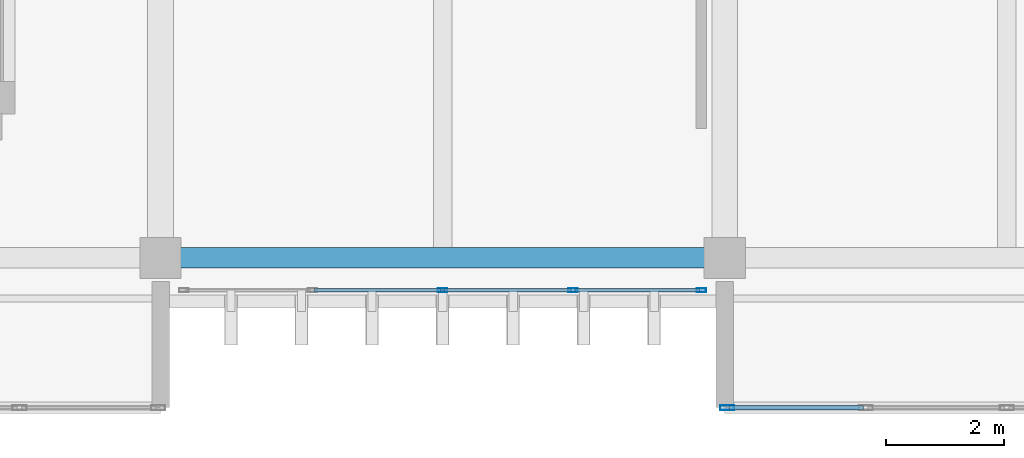
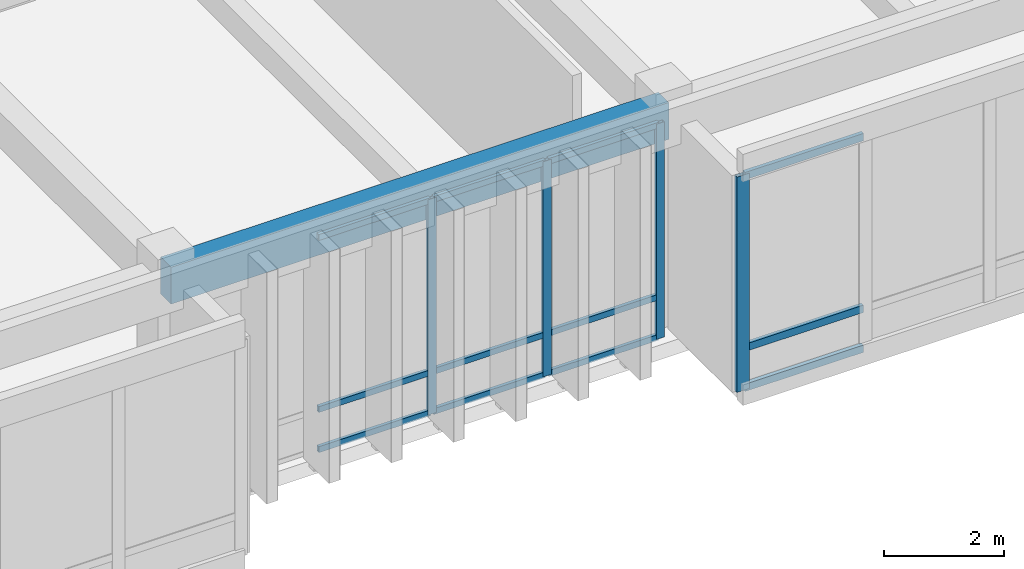
# One storey, part 52 of 133: 16 members, 1 beam, 2 elements without a shape of their own.
"""IFC4 building model written with IfcOpenShell, lengths in metres."""

import ifcopenshell
import ifcopenshell.guid

model = None  # the IFC model being written
_history = None  # IfcOwnerHistory: only IFC2X3 demands one
_inside = {}  # id of a spatial element -> (the spatial element, [elements in it])
_under = {}  # id of a project, library or spatial element -> (it, [spatial elements below it])
_declared = {}  # id of a project -> (the project, [libraries it declares])
_typed = {}  # id of a type object -> (the type object, [elements of that type])
_made_of = {}  # id of a material, layer set ... -> (it, [elements and type objects made of it])


def new_model(schema):
    """Start an empty IFC model of exactly this schema.

    Asked for "IFC4X3", IfcOpenShell would pick the latest addendum, in which some entities
    have other attributes; the version numbers below select the first issue.
    IFC2X3 requires an IfcOwnerHistory on every rooted entity: one is made here for all.
    """
    global model, _history
    if schema == "IFC4X3":
        model = ifcopenshell.file(schema_version=(4, 3, 0, 0))
    else:
        model = ifcopenshell.file(schema=schema)
    _inside.clear()
    _under.clear()
    _declared.clear()
    _typed.clear()
    _made_of.clear()
    _history = None
    if model.schema == "IFC2X3":
        org = make("IfcOrganization", Name="unknown")
        user = make(
            "IfcPersonAndOrganization",
            ThePerson=make("IfcPerson", FamilyName="unknown"),
            TheOrganization=org,
        )
        app = make(
            "IfcApplication",
            ApplicationDeveloper=org,
            Version="unknown",
            ApplicationFullName="unknown",
            ApplicationIdentifier="unknown",
        )
        _history = make(
            "IfcOwnerHistory",
            OwningUser=user,
            OwningApplication=app,
            ChangeAction="ADDED",
            CreationDate=0,
        )
    return model


def make(cls, **values):
    """One entity of the class cls with the attributes given. An attribute that is None is left unset."""
    return model.create_entity(
        cls, **{name: value for name, value in values.items() if value is not None}
    )


def rooted(cls, **values):
    """An entity with a GlobalId (a new one), such as an element, a storey or a relation."""
    return make(cls, GlobalId=ifcopenshell.guid.new(), OwnerHistory=_history, **values)


def si_unit(unit_type, name, prefix=None):
    """IfcSIUnit, for example si_unit("LENGTHUNIT", "METRE", prefix="MILLI")."""
    return make("IfcSIUnit", UnitType=unit_type, Prefix=prefix, Name=name)


def assignment(units):
    """IfcUnitAssignment: the units of a project."""
    return None if units is None else make("IfcUnitAssignment", Units=units)


def point(xyz):
    """IfcCartesianPoint."""
    return None if xyz is None else make("IfcCartesianPoint", Coordinates=xyz)


def direction(xyz):
    """IfcDirection."""
    return None if xyz is None else make("IfcDirection", DirectionRatios=xyz)


def frame(location, z_axis=None, x_axis=None):
    """IfcAxis2Placement3D, a coordinate frame: its origin and axes. An axis left out is left unset."""
    return make(
        "IfcAxis2Placement3D",
        Location=point(location),
        Axis=direction(z_axis),
        RefDirection=direction(x_axis),
    )


def frame_2d(location, x_axis=None):
    """IfcAxis2Placement2D, a coordinate frame in the plane: its origin and x axis."""
    return make(
        "IfcAxis2Placement2D", Location=point(location), RefDirection=direction(x_axis)
    )


def origin():
    """The frame at (0, 0, 0) with its axes left unset."""
    return frame((0.0, 0.0, 0.0))


def origin_2d():
    """The frame at (0, 0) in the plane with its x axis left unset."""
    return frame_2d((0.0, 0.0))


def place(relative_to, where):
    """IfcLocalPlacement: puts the frame where relative to a parent placement (None: the world)."""
    return make(
        "IfcLocalPlacement", PlacementRelTo=relative_to, RelativePlacement=where
    )


def context(
    kind, dimensions, precision=None, world=None, true_north=None, identifier=None
):
    """IfcGeometricRepresentationContext, for example the 3D "Model" context."""
    return make(
        "IfcGeometricRepresentationContext",
        ContextIdentifier=identifier,
        ContextType=kind,
        CoordinateSpaceDimension=dimensions,
        Precision=precision,
        WorldCoordinateSystem=world,
        TrueNorth=true_north,
    )


def subcontext(parent, identifier, kind, view, scale=None):
    """IfcGeometricRepresentationSubContext, for example "Body" below "Model"."""
    return make(
        "IfcGeometricRepresentationSubContext",
        ContextIdentifier=identifier,
        ContextType=kind,
        ParentContext=parent,
        TargetScale=scale,
        TargetView=view,
    )


def project(units=None, contexts=None):
    """IfcProject with its units and contexts."""
    return rooted(
        "IfcProject",
        Name="project",
        RepresentationContexts=contexts,
        UnitsInContext=assignment(units),
    )


def spatial(cls, under=None, at=None, **own):
    """A site, building, storey or space (cls), placed at a placement, below another one or the project."""
    s = rooted(cls, ObjectPlacement=at, **own)
    if under is not None:
        _under.setdefault(under.id(), (under, []))[1].append(s)
    return s


def profile(cls, at=None, kind="AREA", **sizes):
    """A parametric profile (cls). Its sizes go by their IFC names, for example OverallWidth=200.0."""
    return make(cls, ProfileType=kind, Position=at, **sizes)


def rectangle(**sizes):
    """IfcRectangleProfileDef."""
    return profile("IfcRectangleProfileDef", **sizes)


def hollow_rectangle(**sizes):
    """IfcRectangleHollowProfileDef."""
    return profile("IfcRectangleHollowProfileDef", **sizes)


def extrude(swept, where, along, depth):
    """IfcExtrudedAreaSolid: the profile swept, set in the frame where, extruded along a direction by depth."""
    return make(
        "IfcExtrudedAreaSolid",
        SweptArea=swept,
        Position=where,
        ExtrudedDirection=direction(along),
        Depth=depth,
    )


def shape(context_of_items, identifier, shape_type, items):
    """IfcShapeRepresentation: the items that make up one representation, for example the "Body"."""
    return make(
        "IfcShapeRepresentation",
        ContextOfItems=context_of_items,
        RepresentationIdentifier=identifier,
        RepresentationType=shape_type,
        Items=items,
    )


def material(Name=None, Category=None):
    """IfcMaterial."""
    return make("IfcMaterial", Name=Name, Category=Category)


def layer(
    of_material, thickness, ventilated=None, Name=None, Category=None, Priority=None
):
    """IfcMaterialLayer: one layer of a wall or slab, of a material (None: an air gap)."""
    return make(
        "IfcMaterialLayer",
        Material=of_material,
        LayerThickness=thickness,
        IsVentilated=ventilated,
        Name=Name,
        Category=Category,
        Priority=Priority,
    )


def layer_set(layers, Name=None):
    """IfcMaterialLayerSet."""
    return make("IfcMaterialLayerSet", MaterialLayers=layers, LayerSetName=Name)


def material_profile(
    of_material, cross_section, Name=None, Category=None, Priority=None
):
    """IfcMaterialProfile: a cross section and its material."""
    return make(
        "IfcMaterialProfile",
        Name=Name,
        Material=of_material,
        Profile=cross_section,
        Priority=Priority,
        Category=Category,
    )


def profile_set(profiles, Name=None, composite=None):
    """IfcMaterialProfileSet."""
    return make(
        "IfcMaterialProfileSet",
        Name=Name,
        MaterialProfiles=profiles,
        CompositeProfile=composite,
    )


def made_of(thing, what):
    """Note that an element or type object is made of a material, layer set ...; save() writes the relation."""
    if what is not None:
        _made_of.setdefault(what.id(), (what, []))[1].append(thing)
    return thing


def type_object(cls, material=None, **own):
    """A type object (cls), such as IfcWallType, which elements share."""
    return made_of(rooted(cls, **own), material)


def element(
    cls,
    number,
    at=None,
    inside=None,
    cuts=None,
    type_object=None,
    material=None,
    context=None,
    identifier="Body",
    shape_type=None,
    held_by="IfcProductDefinitionShape",
    body=None,
    shapes=None,
    **own,
):
    """One element of the class cls, such as IfcWall. Its Tag is "e" and its number.

    at: its placement. inside: the storey or other place that contains it. cuts: it is an
    opening in that element (IfcRelVoidsElement). A single representation is given by context,
    identifier, shape_type and body (its items); several are given by shapes. held_by: the class
    of the entity that holds the representations. save() writes the other relations.
    """
    e = rooted(cls, Tag="e%d" % number, ObjectPlacement=at, **own)
    if body is not None:
        shapes = [shape(context, identifier, shape_type, body)]
    if shapes is not None:
        e.Representation = make(held_by, Representations=shapes)
    if inside is not None:
        _inside.setdefault(inside.id(), (inside, []))[1].append(e)
    if cuts is not None:
        rooted(
            "IfcRelVoidsElement", RelatingBuildingElement=cuts, RelatedOpeningElement=e
        )
    if type_object is not None:
        _typed.setdefault(type_object.id(), (type_object, []))[1].append(e)
    return made_of(e, material)


def aggregate(whole, parts):
    """IfcRelAggregates: a whole, such as a stair, and the parts it consists of."""
    return rooted("IfcRelAggregates", RelatingObject=whole, RelatedObjects=parts)


def save(model, path):
    """Write the relations noted so far, then the file.

    IfcRelAggregates (storeys below a building ...), IfcRelContainedInSpatialStructure (elements
    in a storey), IfcRelDefinesByType, IfcRelAssociatesMaterial and IfcRelDeclares: one each for
    every whole, place, type object, material and project.
    """
    for whole, parts in _under.values():
        aggregate(whole, parts)
    for where, things in _inside.values():
        rooted(
            "IfcRelContainedInSpatialStructure",
            RelatedElements=things,
            RelatingStructure=where,
        )
    for kind, things in _typed.values():
        rooted("IfcRelDefinesByType", RelatedObjects=things, RelatingType=kind)
    for what, things in _made_of.values():
        rooted("IfcRelAssociatesMaterial", RelatedObjects=things, RelatingMaterial=what)
    for by, libraries in _declared.values():
        rooted("IfcRelDeclares", RelatingContext=by, RelatedDefinitions=libraries)
    model.write(path)


model = new_model("IFC4")

# Units and contexts
model_context = context("Model", 3, precision=1e-05, world=origin(), true_north=direction((0.0, 1.0)))
body_context = subcontext(model_context, "Body", "Model", "MODEL_VIEW")
ifc_project = project(units=[si_unit("LENGTHUNIT", "METRE"), si_unit("AREAUNIT", "SQUARE_METRE"), si_unit("VOLUMEUNIT", "CUBIC_METRE"), si_unit("PLANEANGLEUNIT", "RADIAN"), si_unit("MASSUNIT", "GRAM", prefix="KILO")], contexts=[model_context])

# Site, building, storey
site_placement = place(None, origin())
site = spatial("IfcSite", under=ifc_project, at=site_placement, CompositionType="ELEMENT")
building_placement = place(site_placement, origin())
building = spatial("IfcBuilding", under=site, at=building_placement, Name="Nakhvara Creek Congress Hotel", CompositionType="ELEMENT")
storey_placement = place(building_placement, frame((0.0, 0.0, 11.39990234375)))
storey = spatial("IfcBuildingStorey", under=building, at=storey_placement, Name="L02", CompositionType="ELEMENT", Elevation=11.39990234375)

# Beam
ifc_material_1 = material(Name="Concrete C40/50", Category="concrete")
ifc_material_profile_1 = material_profile(ifc_material_1, rectangle(XDim=0.35009765625, YDim=0.75, at=origin_2d()), Name="RC-SPANDREL 350x750", Category="LoadBearing")
ifc_profile_set_1 = profile_set([ifc_material_profile_1], Name="Concrete C40/50")
beam_type = type_object("IfcBeamType", Name="BM-SPN-350X750", PredefinedType="SPANDREL", material=ifc_profile_set_1)
beam_placement = place(storey_placement, frame((124.800048828125, 0.75, 4.045166015625), z_axis=(1.0, 0.0, 0.0), x_axis=(0.0, 1.0, 0.0)))
element("IfcBeam", 1, at=beam_placement, inside=storey, type_object=beam_type, Name="Beam SP1-L02-1520", PredefinedType="SPANDREL", context=body_context, shape_type="SweptSolid", body=[
    extrude(rectangle(XDim=0.35009765625, YDim=0.75, at=origin_2d()), origin(), (0.0, 0.0, 1.0), 9.599853515625),
])

# Curtain wall, members
ifc_material_2 = material(Name="Bronze-anodised aluminium AW-6063-T6 and double-silver low-E glass", Category="aluminium")
ifc_layer_1 = layer(ifc_material_2, 0.199951171875)
ifc_layer_set_1 = layer_set([ifc_layer_1], Name="Bronze-anodised aluminium AW-6063-T6 and double-silver low-E glass")
curtain_wall_type_1 = type_object("IfcCurtainWallType", Name="CW-SPA-STICK", PredefinedType="NOTDEFINED", material=ifc_layer_set_1)
curtain_wall_1_placement = place(storey_placement, origin())
curtain_wall_1 = element("IfcCurtainWall", 2, at=curtain_wall_1_placement, inside=storey, type_object=curtain_wall_type_1, Name="Curtain Wall CW096", PredefinedType="NOTDEFINED")
ifc_material_3 = material(Name="Bronze-anodised aluminium AW-6063-T6", Category="aluminium")
ifc_material_profile_2 = material_profile(ifc_material_3, hollow_rectangle(XDim=0.06494140625, YDim=0.159912109375, WallThickness=0.00390625, at=origin_2d()), Name="ALU-MULL 65x160x4", Category="LoadBearing")
ifc_profile_set_2 = profile_set([ifc_material_profile_2], Name="Bronze-anodised aluminium AW-6063-T6")
member_type_1 = type_object("IfcMemberType", Name="CW-MULL-160", PredefinedType="MULLION", material=ifc_profile_set_2)
member_1_placement = place(storey_placement, frame((134.00244140625, 0.199951171875, 0.0), z_axis=(0.0, 0.0, 1.0), x_axis=(0.0, -1.0, 0.0)))
member_1 = element("IfcMember", 3, at=member_1_placement, type_object=member_type_1, Name="CW096 mullion 1", PredefinedType="MULLION", context=body_context, shape_type="SweptSolid", body=[
    extrude(hollow_rectangle(XDim=0.06494140625, YDim=0.159912109375, WallThickness=0.00390625, at=origin_2d()), origin(), (0.0, 0.0, 1.0), 4.39013671875),
])
member_2_placement = place(storey_placement, frame((131.8173828125, 0.199951171875, 0.0), z_axis=(0.0, 0.0, 1.0), x_axis=(0.0, -1.0, 0.0)))
member_2 = element("IfcMember", 4, at=member_2_placement, type_object=member_type_1, Name="CW096 mullion 2", PredefinedType="MULLION", context=body_context, shape_type="SweptSolid", body=[
    extrude(hollow_rectangle(XDim=0.06494140625, YDim=0.159912109375, WallThickness=0.00390625, at=origin_2d()), origin(), (0.0, 0.0, 1.0), 4.39013671875),
])
member_3_placement = place(storey_placement, frame((129.60009765625, 0.199951171875, 0.0), z_axis=(0.0, 0.0, 1.0), x_axis=(0.0, -1.0, 0.0)))
member_3 = element("IfcMember", 5, at=member_3_placement, type_object=member_type_1, Name="CW096 mullion 3", PredefinedType="MULLION", context=body_context, shape_type="SweptSolid", body=[
    extrude(hollow_rectangle(XDim=0.06494140625, YDim=0.159912109375, WallThickness=0.00390625, at=origin_2d()), origin(), (0.0, 0.0, 1.0), 4.39013671875),
])

# Curtain wall, member
ifc_layer_2 = layer(ifc_material_2, 0.219970703125)
ifc_layer_set_2 = layer_set([ifc_layer_2], Name="Bronze-anodised aluminium AW-6063-T6 and double-silver low-E glass")
curtain_wall_type_2 = type_object("IfcCurtainWallType", Name="CW-BOX-PROJ", PredefinedType="USERDEFINED", material=ifc_layer_set_2)
curtain_wall_2_placement = place(storey_placement, origin())
curtain_wall_2 = element("IfcCurtainWall", 6, at=curtain_wall_2_placement, inside=storey, type_object=curtain_wall_type_2, Name="Curtain Wall CW090", ObjectType="UNITISED", PredefinedType="USERDEFINED")
ifc_material_profile_3 = material_profile(ifc_material_3, hollow_rectangle(XDim=0.080078125, YDim=0.239990234375, WallThickness=0.0048828125, at=origin_2d()), Name="ALU-MULL 80x240x5", Category="LoadBearing")
ifc_profile_set_3 = profile_set([ifc_material_profile_3], Name="Bronze-anodised aluminium AW-6063-T6")
member_type_2 = type_object("IfcMemberType", Name="CW-MULL-240", PredefinedType="MULLION", material=ifc_profile_set_3)
member_4_placement = place(storey_placement, frame((134.43994140625, -1.800048828125, 0.0), z_axis=(0.0, 0.0, 1.0), x_axis=(0.0, -1.0, 0.0)))
member_4 = element("IfcMember", 7, at=member_4_placement, type_object=member_type_2, Name="CW090 mullion 5", PredefinedType="MULLION", context=body_context, shape_type="SweptSolid", body=[
    extrude(hollow_rectangle(XDim=0.080078125, YDim=0.239990234375, WallThickness=0.0048828125, at=origin_2d()), origin(), (0.0, 0.0, 1.0), 4.39013671875),
])

# Member
ifc_material_profile_4 = material_profile(ifc_material_3, hollow_rectangle(XDim=0.06494140625, YDim=0.1201171875, WallThickness=0.00390625, at=origin_2d()), Name="ALU-TRAN 65x120x4", Category="LoadBearing")
ifc_profile_set_4 = profile_set([ifc_material_profile_4], Name="Bronze-anodised aluminium AW-6063-T6")
member_type_3 = type_object("IfcMemberType", Name="CW-TRAN-120", PredefinedType="USERDEFINED", material=ifc_profile_set_4)
member_5_placement = place(storey_placement, frame((133.969970703125, 0.199951171875, 0.03271484375), z_axis=(-1.0, 0.0, 0.0), x_axis=(0.0, -1.0, 0.0)))
member_5 = element("IfcMember", 8, at=member_5_placement, type_object=member_type_3, Name="CW096 transom 1.1", ObjectType="TRANSOM", PredefinedType="USERDEFINED", context=body_context, shape_type="SweptSolid", body=[
    extrude(hollow_rectangle(XDim=0.06494140625, YDim=0.1201171875, WallThickness=0.00390625, at=origin_2d()), origin(), (0.0, 0.0, 1.0), 2.119873046875),
])

member_6_placement = place(storey_placement, frame((133.969970703125, 0.199951171875, 0.85009765625), z_axis=(-1.0, 0.0, 0.0), x_axis=(0.0, -1.0, 0.0)))
member_6 = element("IfcMember", 9, at=member_6_placement, type_object=member_type_3, Name="CW096 transom 1.2", ObjectType="TRANSOM", PredefinedType="USERDEFINED", context=body_context, shape_type="SweptSolid", body=[
    extrude(hollow_rectangle(XDim=0.06494140625, YDim=0.1201171875, WallThickness=0.00390625, at=origin_2d()), origin(), (0.0, 0.0, 1.0), 2.119873046875),
])

member_7_placement = place(storey_placement, frame((133.969970703125, 0.199951171875, 4.357666015625), z_axis=(-1.0, 0.0, 0.0), x_axis=(0.0, -1.0, 0.0)))
member_7 = element("IfcMember", 10, at=member_7_placement, type_object=member_type_3, Name="CW096 transom 1.3", ObjectType="TRANSOM", PredefinedType="USERDEFINED", context=body_context, shape_type="SweptSolid", body=[
    extrude(hollow_rectangle(XDim=0.06494140625, YDim=0.1201171875, WallThickness=0.00390625, at=origin_2d()), origin(), (0.0, 0.0, 1.0), 2.119873046875),
])

member_8_placement = place(storey_placement, frame((131.784912109375, 0.199951171875, 0.03271484375), z_axis=(-1.0, 0.0, 0.0), x_axis=(0.0, -1.0, 0.0)))
member_8 = element("IfcMember", 11, at=member_8_placement, type_object=member_type_3, Name="CW096 transom 2.1", ObjectType="TRANSOM", PredefinedType="USERDEFINED", context=body_context, shape_type="SweptSolid", body=[
    extrude(hollow_rectangle(XDim=0.06494140625, YDim=0.1201171875, WallThickness=0.00390625, at=origin_2d()), origin(), (0.0, 0.0, 1.0), 2.15234375),
])

member_9_placement = place(storey_placement, frame((131.784912109375, 0.199951171875, 0.85009765625), z_axis=(-1.0, 0.0, 0.0), x_axis=(0.0, -1.0, 0.0)))
member_9 = element("IfcMember", 12, at=member_9_placement, type_object=member_type_3, Name="CW096 transom 2.2", ObjectType="TRANSOM", PredefinedType="USERDEFINED", context=body_context, shape_type="SweptSolid", body=[
    extrude(hollow_rectangle(XDim=0.06494140625, YDim=0.1201171875, WallThickness=0.00390625, at=origin_2d()), origin(), (0.0, 0.0, 1.0), 2.15234375),
])

member_10_placement = place(storey_placement, frame((131.784912109375, 0.199951171875, 4.357666015625), z_axis=(-1.0, 0.0, 0.0), x_axis=(0.0, -1.0, 0.0)))
member_10 = element("IfcMember", 13, at=member_10_placement, type_object=member_type_3, Name="CW096 transom 2.3", ObjectType="TRANSOM", PredefinedType="USERDEFINED", context=body_context, shape_type="SweptSolid", body=[
    extrude(hollow_rectangle(XDim=0.06494140625, YDim=0.1201171875, WallThickness=0.00390625, at=origin_2d()), origin(), (0.0, 0.0, 1.0), 2.15234375),
])

member_11_placement = place(storey_placement, frame((129.5673828125, 0.199951171875, 0.03271484375), z_axis=(-1.0, 0.0, 0.0), x_axis=(0.0, -1.0, 0.0)))
member_11 = element("IfcMember", 14, at=member_11_placement, type_object=member_type_3, Name="CW096 transom 3.1", ObjectType="TRANSOM", PredefinedType="USERDEFINED", context=body_context, shape_type="SweptSolid", body=[
    extrude(hollow_rectangle(XDim=0.06494140625, YDim=0.1201171875, WallThickness=0.00390625, at=origin_2d()), origin(), (0.0, 0.0, 1.0), 2.15234375),
])

member_12_placement = place(storey_placement, frame((129.5673828125, 0.199951171875, 0.85009765625), z_axis=(-1.0, 0.0, 0.0), x_axis=(0.0, -1.0, 0.0)))
member_12 = element("IfcMember", 15, at=member_12_placement, type_object=member_type_3, Name="CW096 transom 3.2", ObjectType="TRANSOM", PredefinedType="USERDEFINED", context=body_context, shape_type="SweptSolid", body=[
    extrude(hollow_rectangle(XDim=0.06494140625, YDim=0.1201171875, WallThickness=0.00390625, at=origin_2d()), origin(), (0.0, 0.0, 1.0), 2.15234375),
])

member_13_placement = place(storey_placement, frame((129.5673828125, 0.199951171875, 4.357666015625), z_axis=(-1.0, 0.0, 0.0), x_axis=(0.0, -1.0, 0.0)))
member_13 = element("IfcMember", 16, at=member_13_placement, type_object=member_type_3, Name="CW096 transom 3.3", ObjectType="TRANSOM", PredefinedType="USERDEFINED", context=body_context, shape_type="SweptSolid", body=[
    extrude(hollow_rectangle(XDim=0.06494140625, YDim=0.1201171875, WallThickness=0.00390625, at=origin_2d()), origin(), (0.0, 0.0, 1.0), 2.15234375),
])

aggregate(curtain_wall_1, [member_1, member_2, member_3, member_5, member_6, member_7, member_8, member_9, member_10, member_11, member_12, member_13])

ifc_material_profile_5 = material_profile(ifc_material_3, hollow_rectangle(XDim=0.074951171875, YDim=0.14990234375, WallThickness=0.00390625, at=origin_2d()), Name="ALU-TRAN 75x150x4", Category="LoadBearing")
ifc_profile_set_5 = profile_set([ifc_material_profile_5], Name="Bronze-anodised aluminium AW-6063-T6")
member_type_4 = type_object("IfcMemberType", Name="CW-TRAN-150", PredefinedType="USERDEFINED", material=ifc_profile_set_5)
member_14_placement = place(storey_placement, frame((136.760009765625, -1.800048828125, 0.03759765625), z_axis=(-1.0, 0.0, 0.0), x_axis=(0.0, -1.0, 0.0)))
member_14 = element("IfcMember", 17, at=member_14_placement, type_object=member_type_4, Name="CW090 transom 4.1", ObjectType="TRANSOM", PredefinedType="USERDEFINED", context=body_context, shape_type="SweptSolid", body=[
    extrude(hollow_rectangle(XDim=0.074951171875, YDim=0.14990234375, WallThickness=0.00390625, at=origin_2d()), origin(), (0.0, 0.0, 1.0), 2.280029296875),
])

member_15_placement = place(storey_placement, frame((136.760009765625, -1.800048828125, 0.85009765625), z_axis=(-1.0, 0.0, 0.0), x_axis=(0.0, -1.0, 0.0)))
member_15 = element("IfcMember", 18, at=member_15_placement, type_object=member_type_4, Name="CW090 transom 4.2", ObjectType="TRANSOM", PredefinedType="USERDEFINED", context=body_context, shape_type="SweptSolid", body=[
    extrude(hollow_rectangle(XDim=0.074951171875, YDim=0.14990234375, WallThickness=0.00390625, at=origin_2d()), origin(), (0.0, 0.0, 1.0), 2.280029296875),
])

member_16_placement = place(storey_placement, frame((136.760009765625, -1.800048828125, 4.3525390625), z_axis=(-1.0, 0.0, 0.0), x_axis=(0.0, -1.0, 0.0)))
member_16 = element("IfcMember", 19, at=member_16_placement, type_object=member_type_4, Name="CW090 transom 4.3", ObjectType="TRANSOM", PredefinedType="USERDEFINED", context=body_context, shape_type="SweptSolid", body=[
    extrude(hollow_rectangle(XDim=0.074951171875, YDim=0.14990234375, WallThickness=0.00390625, at=origin_2d()), origin(), (0.0, 0.0, 1.0), 2.280029296875),
])

aggregate(curtain_wall_2, [member_4, member_14, member_15, member_16])

save(model, "model.ifc")
